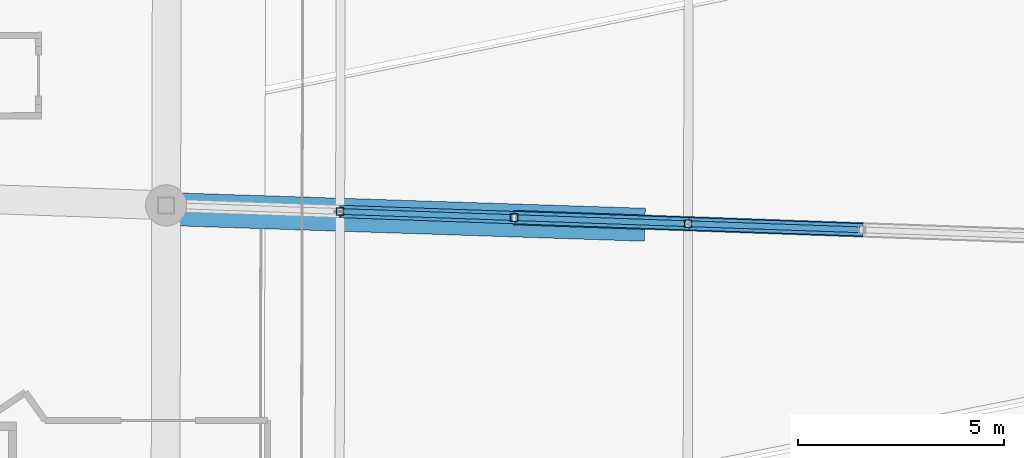
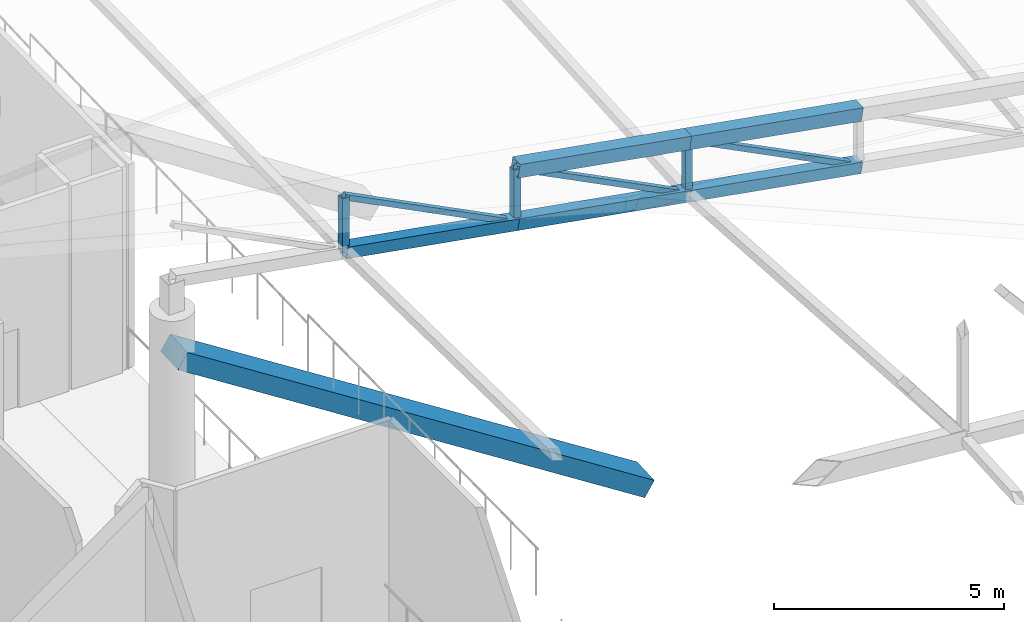
# One storey, part 62 of 344: 11 members, 1 beam.
"""IFC4 building model written with IfcOpenShell, lengths in metres."""

from ifc_helpers import new_model, si_unit, direction, frame, origin, origin_2d, place, context, subcontext, project, spatial, rectangle, hollow_rectangle, extrude, material, material_profile, profile_set, type_object, element, save


model = new_model("IFC4")

# Units and contexts
model_context = context("Model", 3, precision=1e-05, world=origin(), true_north=direction((0.0, 1.0)))
body_context = subcontext(model_context, "Body", "Model", "MODEL_VIEW")
ifc_project = project(units=[si_unit("LENGTHUNIT", "METRE"), si_unit("AREAUNIT", "SQUARE_METRE"), si_unit("VOLUMEUNIT", "CUBIC_METRE"), si_unit("PLANEANGLEUNIT", "RADIAN"), si_unit("MASSUNIT", "GRAM", prefix="KILO")], contexts=[model_context])

# Site, building, storey
site_placement = place(None, origin())
site = spatial("IfcSite", under=ifc_project, at=site_placement, CompositionType="ELEMENT")
building_placement = place(site_placement, origin())
building = spatial("IfcBuilding", under=site, at=building_placement, Name="Meseta Stadium", CompositionType="ELEMENT")
storey_placement = place(building_placement, frame((0.0, 0.0, 24.0)))
storey = spatial("IfcBuildingStorey", under=building, at=storey_placement, Name="L04", CompositionType="ELEMENT", Elevation=24.0)

# Beam
ifc_material_1 = material(Name="Concrete C40/50", Category="concrete")
ifc_material_profile_1 = material_profile(ifc_material_1, rectangle(XDim=0.800048828125, YDim=0.449951171875, at=origin_2d()), Name="RC 800x450")
ifc_profile_set_1 = profile_set([ifc_material_profile_1], Name="Concrete C40/50")
beam_type = type_object("IfcBeamType", Name="RC raker upper rear 800x450", PredefinedType="USERDEFINED", material=ifc_profile_set_1)
beam_placement = place(storey_placement, frame((-73.482421875, 17.943603515625, -2.289306640625), z_axis=(-0.847550592425, 0.027868228235, 0.529982410213), x_axis=(-0.032863142058, -0.999459861072, 0.0)))
element("IfcBeam", 1, at=beam_placement, inside=storey, type_object=beam_type, Name="Raker upper rear frame 31 upper tier", ObjectType="RAKER", PredefinedType="USERDEFINED", context=body_context, shape_type="SweptSolid", body=[
    extrude(rectangle(XDim=0.800048828125, YDim=0.449951171875, at=origin_2d()), origin(), (0.0, 0.0, 1.0), 13.561279296875),
])

# Members
ifc_material_2 = material(Name="Steel S355", Category="steel")
ifc_material_profile_2 = material_profile(ifc_material_2, hollow_rectangle(XDim=0.139892578125, YDim=0.139892578125, WallThickness=0.0048828125, at=origin_2d()), Name="SHS 140x140x5")
ifc_profile_set_2 = profile_set([ifc_material_profile_2], Name="Steel S355")
member_type_1 = type_object("IfcMemberType", Name="SHS 140x140x5 diagonal", PredefinedType="BRACE", material=ifc_profile_set_2)
member_1_placement = place(storey_placement, frame((-68.0947265625, 17.81591796875, 4.267578125), z_axis=(-0.898087440592, 0.031645851491, 0.438676975842), x_axis=(-0.035215082554, -0.999379756629, 0.0)))
element("IfcMember", 2, at=member_1_placement, inside=storey, type_object=member_type_1, Name="ROOF TRUSS RT-31 diagonal", PredefinedType="BRACE", context=body_context, shape_type="SweptSolid", body=[
    extrude(hollow_rectangle(XDim=0.139892578125, YDim=0.139892578125, WallThickness=0.0048828125, at=origin_2d()), origin(), (0.0, 0.0, 1.0), 4.6982421875),
])
member_2_placement = place(storey_placement, frame((-72.314208984375, 17.964599609375, 4.900634765625), z_axis=(-0.898077020721, 0.031643653415, 0.438698465977), x_axis=(-0.035213047643, -0.999379828331, 0.0)))
element("IfcMember", 3, at=member_2_placement, inside=storey, type_object=member_type_1, Name="ROOF TRUSS RT-31 diagonal", PredefinedType="BRACE", context=body_context, shape_type="SweptSolid", body=[
    extrude(hollow_rectangle(XDim=0.139892578125, YDim=0.139892578125, WallThickness=0.0048828125, at=origin_2d()), origin(), (0.0, 0.0, 1.0), 4.69873046875),
])
member_3_placement = place(storey_placement, frame((-76.533935546875, 18.11328125, 5.53369140625), z_axis=(-0.898066967953, 0.031645130098, 0.438718938288), x_axis=(-0.035215082554, -0.999379756629, 0.0)))
element("IfcMember", 4, at=member_3_placement, inside=storey, type_object=member_type_1, Name="ROOF TRUSS RT-31 diagonal", PredefinedType="BRACE", context=body_context, shape_type="SweptSolid", body=[
    extrude(hollow_rectangle(XDim=0.139892578125, YDim=0.139892578125, WallThickness=0.0048828125, at=origin_2d()), origin(), (0.0, 0.0, 1.0), 4.698486328125),
])
ifc_material_3 = material(Name="Steel S355", Category="steel")
ifc_material_profile_3 = material_profile(ifc_material_3, hollow_rectangle(XDim=0.179931640625, YDim=0.179931640625, WallThickness=0.00634765625, at=origin_2d()), Name="SHS 180x180x6.3")
ifc_profile_set_3 = profile_set([ifc_material_profile_3], Name="Steel S355")
member_type_2 = type_object("IfcMemberType", Name="SHS 180x180x6.3 post", PredefinedType="POST", material=ifc_profile_set_3)
member_4_placement = place(storey_placement, frame((-72.314208984375, 17.964599609375, 4.900634765625), z_axis=(0.0, 0.0, 1.0), x_axis=(1.0, 0.0, 0.0)))
element("IfcMember", 5, at=member_4_placement, inside=storey, type_object=member_type_2, Name="ROOF TRUSS RT-31 post", PredefinedType="POST", context=body_context, shape_type="SweptSolid", body=[
    extrude(hollow_rectangle(XDim=0.179931640625, YDim=0.179931640625, WallThickness=0.00634765625, at=origin_2d()), origin(), (0.0, 0.0, 1.0), 1.427978515625),
])
member_5_placement = place(storey_placement, frame((-76.533935546875, 18.11328125, 5.53369140625), z_axis=(0.0, 0.0, 1.0), x_axis=(1.0, 0.0, 0.0)))
element("IfcMember", 6, at=member_5_placement, inside=storey, type_object=member_type_2, Name="ROOF TRUSS RT-31 post", PredefinedType="POST", context=body_context, shape_type="SweptSolid", body=[
    extrude(hollow_rectangle(XDim=0.179931640625, YDim=0.179931640625, WallThickness=0.00634765625, at=origin_2d()), origin(), (0.0, 0.0, 1.0), 1.42822265625),
])
member_6_placement = place(storey_placement, frame((-80.75341796875, 18.261962890625, 6.1669921875), z_axis=(0.0, 0.0, 1.0), x_axis=(1.0, 0.0, 0.0)))
element("IfcMember", 7, at=member_6_placement, inside=storey, type_object=member_type_2, Name="ROOF TRUSS RT-31 post", PredefinedType="POST", context=body_context, shape_type="SweptSolid", body=[
    extrude(hollow_rectangle(XDim=0.179931640625, YDim=0.179931640625, WallThickness=0.00634765625, at=origin_2d()), origin(), (0.0, 0.0, 1.0), 1.427978515625),
])
ifc_material_4 = material(Name="Steel S355", Category="steel")
ifc_material_profile_4 = material_profile(ifc_material_4, hollow_rectangle(XDim=0.300048828125, YDim=0.300048828125, WallThickness=0.010009765625, at=origin_2d()), Name="SHS 300x300x10")
ifc_profile_set_4 = profile_set([ifc_material_profile_4], Name="Steel S355")
member_type_3 = type_object("IfcMemberType", Name="SHS 300x300x10 bottom chord", PredefinedType="CHORD", material=ifc_profile_set_4)
member_7_placement = place(storey_placement, frame((-68.0947265625, 17.81591796875, 4.267578125), z_axis=(-0.988331847912, 0.03482578808, 0.148281229048), x_axis=(-0.035215082554, -0.999379756629, 0.0)))
element("IfcMember", 8, at=member_7_placement, inside=storey, type_object=member_type_3, Name="ROOF TRUSS RT-31 bottom chord", PredefinedType="CHORD", context=body_context, shape_type="SweptSolid", body=[
    extrude(hollow_rectangle(XDim=0.300048828125, YDim=0.300048828125, WallThickness=0.010009765625, at=origin_2d()), origin(), (0.0, 0.0, 1.0), 4.269287109375),
])
member_8_placement = place(storey_placement, frame((-72.314208984375, 17.964599609375, 4.900634765625), z_axis=(-0.988333174505, 0.034823819907, 0.148272848964), x_axis=(-0.035213047643, -0.999379828331, 0.0)))
element("IfcMember", 9, at=member_8_placement, inside=storey, type_object=member_type_3, Name="ROOF TRUSS RT-31 bottom chord", PredefinedType="CHORD", context=body_context, shape_type="SweptSolid", body=[
    extrude(hollow_rectangle(XDim=0.300048828125, YDim=0.300048828125, WallThickness=0.010009765625, at=origin_2d()), origin(), (0.0, 0.0, 1.0), 4.26953125),
])
member_9_placement = place(storey_placement, frame((-76.533935546875, 18.11328125, 5.53369140625), z_axis=(-0.98832346585, 0.034825492721, 0.148337156189), x_axis=(-0.035215082554, -0.999379756629, 0.0)))
element("IfcMember", 10, at=member_9_placement, inside=storey, type_object=member_type_3, Name="ROOF TRUSS RT-31 bottom chord", PredefinedType="CHORD", context=body_context, shape_type="SweptSolid", body=[
    extrude(hollow_rectangle(XDim=0.300048828125, YDim=0.300048828125, WallThickness=0.010009765625, at=origin_2d()), origin(), (0.0, 0.0, 1.0), 4.269287109375),
])
ifc_material_5 = material(Name="Steel S355", Category="steel")
ifc_material_profile_5 = material_profile(ifc_material_5, hollow_rectangle(XDim=0.35009765625, YDim=0.35009765625, WallThickness=0.010009765625, at=origin_2d()), Name="SHS 350x350x10")
ifc_profile_set_5 = profile_set([ifc_material_profile_5], Name="Steel S355")
member_type_4 = type_object("IfcMemberType", Name="SHS 350x350x10 top chord", PredefinedType="CHORD", material=ifc_profile_set_5)
member_10_placement = place(storey_placement, frame((-68.0947265625, 17.81591796875, 5.695556640625), z_axis=(-0.988331847912, 0.03482578808, 0.148281229048), x_axis=(-0.035215082554, -0.999379756629, 0.0)))
element("IfcMember", 11, at=member_10_placement, inside=storey, type_object=member_type_4, Name="ROOF TRUSS RT-31 top chord", PredefinedType="CHORD", context=body_context, shape_type="SweptSolid", body=[
    extrude(hollow_rectangle(XDim=0.35009765625, YDim=0.35009765625, WallThickness=0.010009765625, at=origin_2d()), origin(), (0.0, 0.0, 1.0), 4.269287109375),
])
member_11_placement = place(storey_placement, frame((-72.314208984375, 17.964599609375, 6.32861328125), z_axis=(-0.98832479338, 0.034823524599, 0.148328773087), x_axis=(-0.035213047643, -0.999379828331, 0.0)))
element("IfcMember", 12, at=member_11_placement, inside=storey, type_object=member_type_4, Name="ROOF TRUSS RT-31 top chord", PredefinedType="CHORD", context=body_context, shape_type="SweptSolid", body=[
    extrude(hollow_rectangle(XDim=0.35009765625, YDim=0.35009765625, WallThickness=0.010009765625, at=origin_2d()), origin(), (0.0, 0.0, 1.0), 4.26953125),
])

save(model, "model.ifc")
